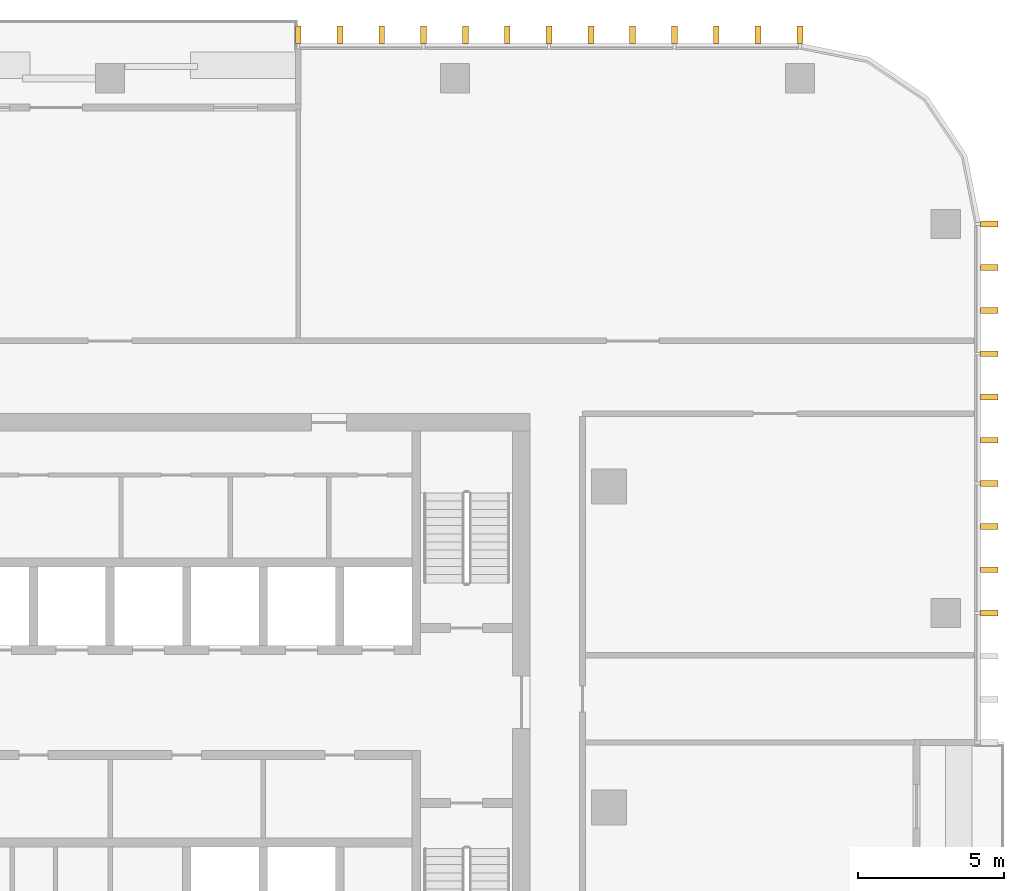
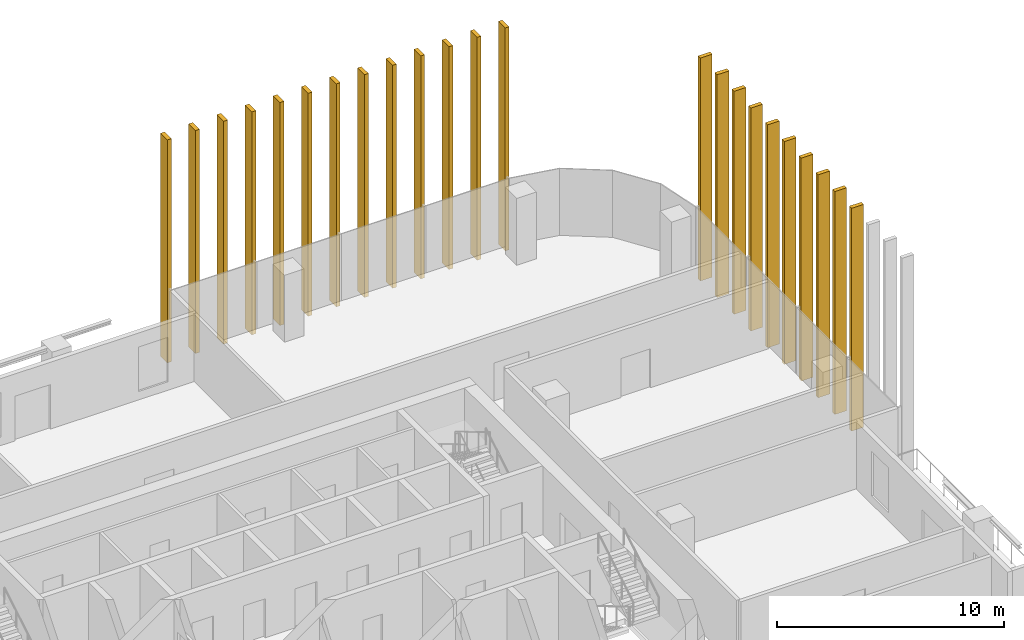
# One storey, part 16 of 16: 23 shading devices.
"""IFC4 building model written with IfcOpenShell, lengths in metres."""

from ifc_helpers import new_model, si_unit, direction, frame, origin, origin_2d, place, context, subcontext, project, spatial, rectangle, extrude, material, type_object, element, save


model = new_model("IFC4")

# Units and contexts
model_context = context("Model", 3, precision=1e-05, world=origin(), true_north=direction((0.0, 1.0)))
body_context = subcontext(model_context, "Body", "Model", "MODEL_VIEW")
ifc_project = project(units=[si_unit("LENGTHUNIT", "METRE"), si_unit("AREAUNIT", "SQUARE_METRE"), si_unit("VOLUMEUNIT", "CUBIC_METRE"), si_unit("PLANEANGLEUNIT", "RADIAN"), si_unit("MASSUNIT", "GRAM", prefix="KILO")], contexts=[model_context])

# Site, building, storey
site_placement = place(None, origin())
site = spatial("IfcSite", under=ifc_project, at=site_placement, CompositionType="ELEMENT")
building_placement = place(site_placement, origin())
building = spatial("IfcBuilding", under=site, at=building_placement, Name="Mopane Tessera Tower", CompositionType="ELEMENT")
storey_placement = place(building_placement, frame((0.0, 0.0, 267.39990234375)))
storey = spatial("IfcBuildingStorey", under=building, at=storey_placement, Name="L57", CompositionType="ELEMENT", Elevation=267.39990234375)

# Shading devices
ifc_material = material(Name="Glazed ceramic tile")
shading_device_type = type_object("IfcShadingDeviceType", Name="Ceramic tile fin 600 x 200 mm", PredefinedType="USERDEFINED", material=ifc_material)
for number, where, z_axis, x_axis, name in (
    (1, (30.14990234375, 6.666748046875, -0.39990234375), (0.0, 0.0, 1.0), (0.0, 1.0, 0.0), "e:fin:L57:E:6:0"),
    (2, (30.14990234375, 8.148193359375, -0.39990234375), (0.0, 0.0, 1.0), (0.0, 1.0, 0.0), "e:fin:L57:E:6:1"),
    (3, (30.14990234375, 9.629638671875, -0.39990234375), (0.0, 0.0, 1.0), (0.0, 1.0, 0.0), "e:fin:L57:E:6:2"),
    (4, (30.14990234375, 11.111083984375, -0.39990234375), (0.0, 0.0, 1.0), (0.0, 1.0, 0.0), "e:fin:L57:E:7:0"),
    (5, (30.14990234375, 12.592529296875, -0.39990234375), (0.0, 0.0, 1.0), (0.0, 1.0, 0.0), "e:fin:L57:E:7:1"),
    (6, (30.14990234375, 14.073974609375, -0.39990234375), (0.0, 0.0, 1.0), (0.0, 1.0, 0.0), "e:fin:L57:E:7:2"),
    (7, (30.14990234375, 15.5556640625, -0.39990234375), (0.0, 0.0, 1.0), (0.0, 1.0, 0.0), "e:fin:L57:E:8:0"),
    (8, (30.14990234375, 17.037109375, -0.39990234375), (0.0, 0.0, 1.0), (0.0, 1.0, 0.0), "e:fin:L57:E:8:1"),
    (9, (30.14990234375, 18.5185546875, -0.39990234375), (0.0, 0.0, 1.0), (0.0, 1.0, 0.0), "e:fin:L57:E:8:2"),
    (10, (30.14990234375, 20.0, -0.39990234375), (0.0, 0.0, 1.0), (0.0, 1.0, 0.0), "e:fin:L57:E:8:3"),
    (11, (23.64990234375, 26.5, -0.39990234375), (0.0, 0.0, 1.0), (-1.0, 0.0, 0.0), "e:fin:L57:N:0:0"),
    (12, (22.216552734375, 26.5, -0.39990234375), (0.0, 0.0, 1.0), (-1.0, 0.0, 0.0), "e:fin:L57:N:0:1"),
    (13, (20.783447265625, 26.5, -0.39990234375), (0.0, 0.0, 1.0), (-1.0, 0.0, 0.0), "e:fin:L57:N:0:2"),
    (14, (19.35009765625, 26.5, -0.39990234375), (0.0, 0.0, 1.0), (-1.0, 0.0, 0.0), "e:fin:L57:N:1:0"),
    (15, (17.916748046875, 26.5, -0.39990234375), (0.0, 0.0, 1.0), (-1.0, 0.0, 0.0), "e:fin:L57:N:1:1"),
    (16, (16.4833984375, 26.5, -0.39990234375), (0.0, 0.0, 1.0), (-1.0, 0.0, 0.0), "e:fin:L57:N:1:2"),
    (17, (15.050048828125, 26.5, -0.39990234375), (0.0, 0.0, 1.0), (-1.0, 0.0, 0.0), "e:fin:L57:N:2:0"),
    (18, (13.61669921875, 26.5, -0.39990234375), (0.0, 0.0, 1.0), (-1.0, 0.0, 0.0), "e:fin:L57:N:2:1"),
    (19, (12.183349609375, 26.5, -0.39990234375), (0.0, 0.0, 1.0), (-1.0, 0.0, 0.0), "e:fin:L57:N:2:2"),
    (20, (10.75, 26.5, -0.39990234375), (0.0, 0.0, 1.0), (-1.0, 0.0, 0.0), "e:fin:L57:N:3:0"),
    (21, (9.316650390625, 26.5, -0.39990234375), (0.0, 0.0, 1.0), (-1.0, 0.0, 0.0), "e:fin:L57:N:3:1"),
    (22, (7.88330078125, 26.5, -0.39990234375), (0.0, 0.0, 1.0), (-1.0, 0.0, 0.0), "e:fin:L57:N:3:2"),
    (23, (6.449951171875, 26.5, -0.39990234375), (0.0, 0.0, 1.0), (-1.0, 0.0, 0.0), "e:fin:L57:N:3:3"),
):
    element("IfcShadingDevice", number, at=place(storey_placement, frame(where, z_axis=z_axis, x_axis=x_axis)), inside=storey, type_object=shading_device_type, Name=name, ObjectType="FIN", PredefinedType="USERDEFINED", context=body_context, shape_type="SweptSolid", body=[
        extrude(rectangle(XDim=0.199951171875, YDim=0.60009765625, at=origin_2d()), origin(), (0.0, 0.0, 1.0), 12.0),
    ])

save(model, "model.ifc")
